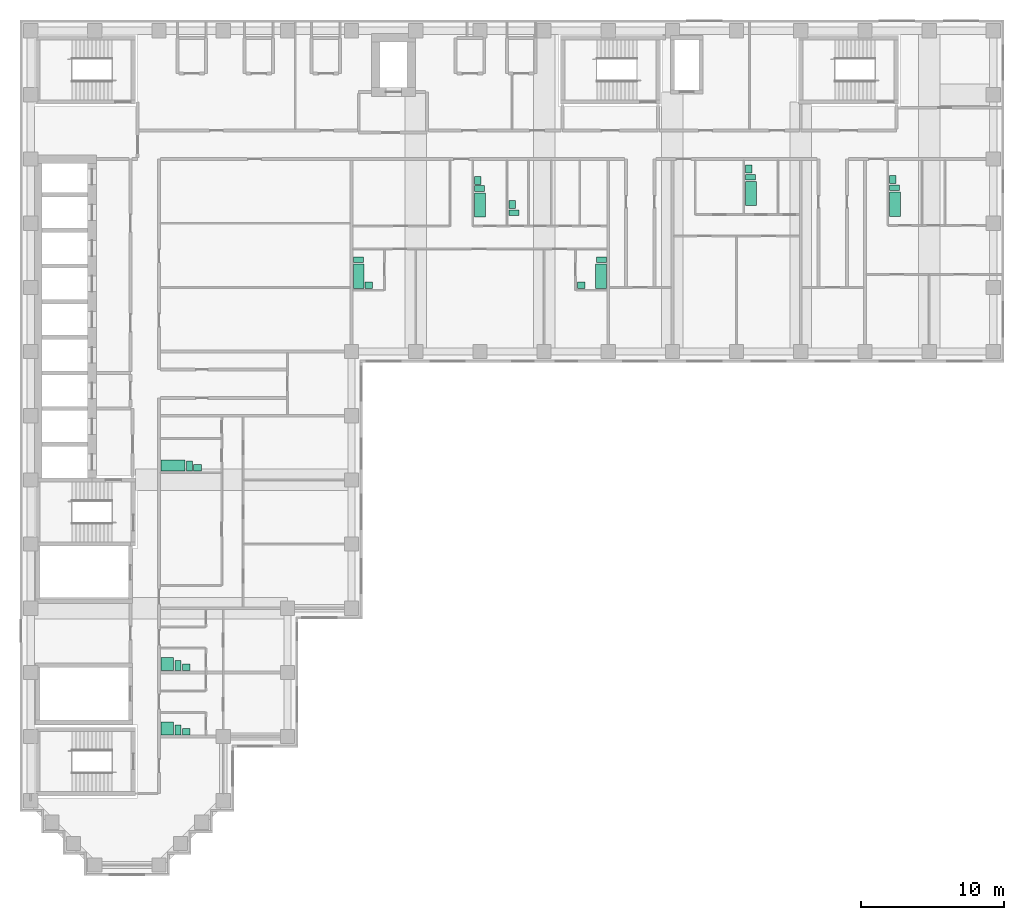
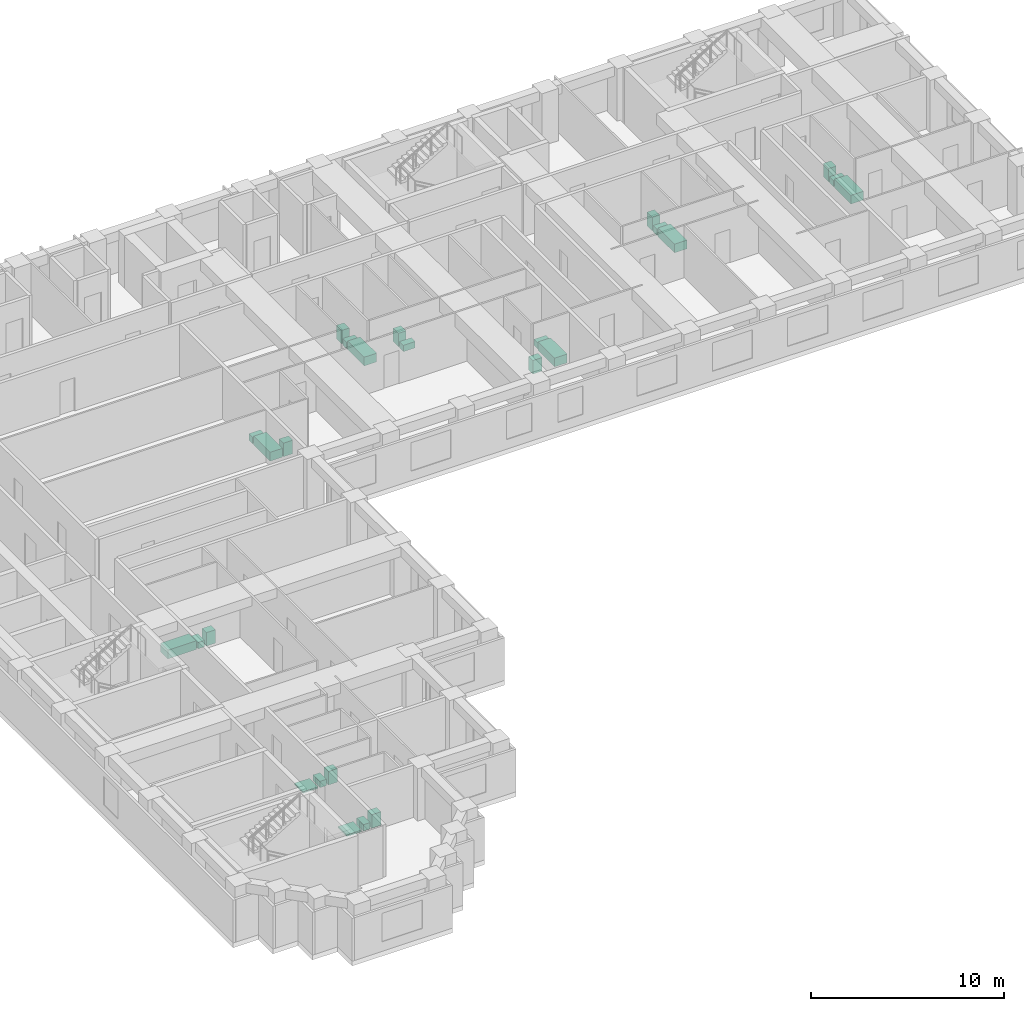
# One storey, part 12 of 12: 26 sanitary terminals.
"""IFC4 building model written with IfcOpenShell, lengths in metres."""

from ifc_helpers import new_model, si_unit, direction, frame, origin, origin_2d, place, context, subcontext, project, spatial, rectangle, extrude, material, type_object, element, save


model = new_model("IFC4")

# Units and contexts
model_context = context("Model", 3, precision=1e-05, world=origin(), true_north=direction((0.0, 1.0)))
body_context = subcontext(model_context, "Body", "Model", "MODEL_VIEW")
ifc_project = project(units=[si_unit("LENGTHUNIT", "METRE"), si_unit("AREAUNIT", "SQUARE_METRE"), si_unit("VOLUMEUNIT", "CUBIC_METRE"), si_unit("PLANEANGLEUNIT", "RADIAN"), si_unit("MASSUNIT", "GRAM", prefix="KILO")], contexts=[model_context])

# Site, building, storey
site_placement = place(None, origin())
site = spatial("IfcSite", under=ifc_project, at=site_placement, CompositionType="ELEMENT")
building_placement = place(site_placement, origin())
building = spatial("IfcBuilding", under=site, at=building_placement, Name="Firuza Court", CompositionType="ELEMENT")
storey_placement = place(building_placement, frame((0.0, 0.0, 166.39990234375)))
storey = spatial("IfcBuildingStorey", under=building, at=storey_placement, Name="L42", CompositionType="ELEMENT", Elevation=166.39990234375)

# Sanitary terminals
ifc_material_1 = material(Name="Vitreous china", Category="ceramic")
sanitary_terminal_type_1 = type_object("IfcSanitaryTerminalType", Name="Fixture Bath", PredefinedType="BATH", material=ifc_material_1)
for number, where, z_axis, x_axis, name in (
    (1, (31.5048828125, 46.280029296875, 0.0), (0.0, 0.0, 1.0), (1.0, 0.0, 0.0), "Bath"),
    (2, (23.0048828125, 41.280029296875, 0.0), (0.0, 0.0, 1.0), (1.0, 0.0, 0.0), "Bath"),
    (3, (39.9951171875, 41.280029296875, 0.0), (0.0, 0.0, 1.0), (1.0, 0.0, 0.0), "Bath"),
    (4, (50.5048828125, 47.080078125, 0.0), (0.0, 0.0, 1.0), (1.0, 0.0, 0.0), "Bath"),
    (5, (60.60498046875, 46.330078125, 0.0), (0.0, 0.0, 1.0), (1.0, 0.0, 0.0), "Bath"),
):
    element("IfcSanitaryTerminal", number, at=place(storey_placement, frame(where, z_axis=z_axis, x_axis=x_axis)), inside=storey, type_object=sanitary_terminal_type_1, Name=name, PredefinedType="BATH", context=body_context, shape_type="SweptSolid", body=[
        extrude(rectangle(XDim=0.75, YDim=1.699951171875, at=origin_2d()), origin(), (0.0, 0.0, 1.0), 0.550048828125),
    ])
sanitary_terminal_placement = place(storey_placement, frame((9.97998046875, 28.0048828125, 0.0), z_axis=(0.0, 0.0, 1.0), x_axis=(1.0, 0.0, 0.0)))
element("IfcSanitaryTerminal", 6, at=sanitary_terminal_placement, inside=storey, type_object=sanitary_terminal_type_1, Name="Bath", PredefinedType="BATH", context=body_context, shape_type="SweptSolid", body=[
    extrude(rectangle(XDim=1.699951171875, YDim=0.75, at=origin_2d()), origin(), (0.0, 0.0, 1.0), 0.550048828125),
])
ifc_material_2 = material(Name="Vitreous china", Category="ceramic")
sanitary_terminal_type_2 = type_object("IfcSanitaryTerminalType", Name="Fixture Shower tray", PredefinedType="SHOWER", material=ifc_material_2)
for number, where, z_axis, x_axis, name in (
    (7, (9.580078125, 14.080078125, 0.0), (0.0, 0.0, 1.0), (1.0, 0.0, 0.0), "Shower tray"),
    (8, (9.580078125, 9.580078125, 0.0), (0.0, 0.0, 1.0), (1.0, 0.0, 0.0), "Shower tray"),
):
    element("IfcSanitaryTerminal", number, at=place(storey_placement, frame(where, z_axis=z_axis, x_axis=x_axis)), inside=storey, type_object=sanitary_terminal_type_2, Name=name, PredefinedType="SHOWER", context=body_context, shape_type="SweptSolid", body=[
        extrude(rectangle(XDim=0.89990234375, YDim=0.89990234375, at=origin_2d()), origin(), (0.0, 0.0, 1.0), 0.10009765625),
    ])
ifc_material_3 = material(Name="Vitreous china", Category="ceramic")
sanitary_terminal_type_3 = type_object("IfcSanitaryTerminalType", Name="Fixture WC pan", PredefinedType="TOILETPAN", material=ifc_material_3)
for number, where, z_axis, x_axis, name in (
    (9, (31.47998046875, 47.429931640625, 0.000244140625), (0.0, 0.0, 1.0), (1.0, 0.0, 0.0), "WC pan"),
    (10, (33.8798828125, 45.72998046875, 0.000244140625), (0.0, 0.0, 1.0), (1.0, 0.0, 0.0), "WC pan"),
    (11, (22.97998046875, 42.429931640625, 0.000244140625), (0.0, 0.0, 1.0), (1.0, 0.0, 0.0), "WC pan"),
    (12, (40.02001953125, 42.429931640625, 0.000244140625), (0.0, 0.0, 1.0), (1.0, 0.0, 0.0), "WC pan"),
    (13, (50.47998046875, 48.22998046875, 0.000244140625), (0.0, 0.0, 1.0), (1.0, 0.0, 0.0), "WC pan"),
    (14, (60.580078125, 47.47998046875, 0.000244140625), (0.0, 0.0, 1.0), (1.0, 0.0, 0.0), "WC pan"),
):
    element("IfcSanitaryTerminal", number, at=place(storey_placement, frame(where, z_axis=z_axis, x_axis=x_axis)), inside=storey, type_object=sanitary_terminal_type_3, Name=name, PredefinedType="TOILETPAN", context=body_context, shape_type="SweptSolid", body=[
        extrude(rectangle(XDim=0.699951171875, YDim=0.39990234375, at=origin_2d()), origin(), (0.0, 0.0, 1.0), 0.39990234375),
    ])
for number, where, z_axis, x_axis, name in (
    (15, (11.1298828125, 27.97998046875, 0.000244140625), (0.0, 0.0, 1.0), (1.0, 0.0, 0.0), "WC pan"),
    (16, (10.330078125, 13.97998046875, 0.000244140625), (0.0, 0.0, 1.0), (1.0, 0.0, 0.0), "WC pan"),
    (17, (10.330078125, 9.47998046875, 0.000244140625), (0.0, 0.0, 1.0), (1.0, 0.0, 0.0), "WC pan"),
):
    element("IfcSanitaryTerminal", number, at=place(storey_placement, frame(where, z_axis=z_axis, x_axis=x_axis)), inside=storey, type_object=sanitary_terminal_type_3, Name=name, PredefinedType="TOILETPAN", context=body_context, shape_type="SweptSolid", body=[
        extrude(rectangle(XDim=0.39990234375, YDim=0.699951171875, at=origin_2d()), origin(), (0.0, 0.0, 1.0), 0.39990234375),
    ])
ifc_material_4 = material(Name="Vitreous china", Category="ceramic")
sanitary_terminal_type_4 = type_object("IfcSanitaryTerminalType", Name="Fixture Washbasin", PredefinedType="WASHHANDBASIN", material=ifc_material_4)
for number, where, z_axis, x_axis, name in (
    (18, (31.35498046875, 48.0048828125, 0.0), (0.0, 0.0, 1.0), (1.0, 0.0, 0.0), "Washbasin"),
    (19, (33.7548828125, 46.304931640625, 0.0), (0.0, 0.0, 1.0), (1.0, 0.0, 0.0), "Washbasin"),
):
    element("IfcSanitaryTerminal", number, at=place(storey_placement, frame(where, z_axis=z_axis, x_axis=x_axis)), inside=storey, type_object=sanitary_terminal_type_4, Name=name, PredefinedType="WASHHANDBASIN", context=body_context, shape_type="SweptSolid", body=[
        extrude(rectangle(XDim=0.449951171875, YDim=0.550048828125, at=origin_2d()), origin(), (0.0, 0.0, 1.0), 0.85009765625),
    ])
for number, where, z_axis, x_axis, name in (
    (20, (23.705078125, 40.655029296875, 0.0), (0.0, 0.0, 1.0), (1.0, 0.0, 0.0), "Washbasin"),
    (21, (38.60498046875, 40.655029296875, 0.0), (0.0, 0.0, 1.0), (1.0, 0.0, 0.0), "Washbasin"),
):
    element("IfcSanitaryTerminal", number, at=place(storey_placement, frame(where, z_axis=z_axis, x_axis=x_axis)), inside=storey, type_object=sanitary_terminal_type_4, Name=name, PredefinedType="WASHHANDBASIN", context=body_context, shape_type="SweptSolid", body=[
        extrude(rectangle(XDim=0.550048828125, YDim=0.449951171875, at=origin_2d()), origin(), (0.0, 0.0, 1.0), 0.85009765625),
    ])
for number, where, z_axis, x_axis, name in (
    (22, (50.35498046875, 48.804931640625, 0.0), (0.0, 0.0, 1.0), (1.0, 0.0, 0.0), "Washbasin"),
    (23, (60.455078125, 48.054931640625, 0.0), (0.0, 0.0, 1.0), (1.0, 0.0, 0.0), "Washbasin"),
):
    element("IfcSanitaryTerminal", number, at=place(storey_placement, frame(where, z_axis=z_axis, x_axis=x_axis)), inside=storey, type_object=sanitary_terminal_type_4, Name=name, PredefinedType="WASHHANDBASIN", context=body_context, shape_type="SweptSolid", body=[
        extrude(rectangle(XDim=0.449951171875, YDim=0.550048828125, at=origin_2d()), origin(), (0.0, 0.0, 1.0), 0.85009765625),
    ])
for number, where, z_axis, x_axis, name in (
    (24, (11.705078125, 27.85498046875, 0.0), (0.0, 0.0, 1.0), (1.0, 0.0, 0.0), "Washbasin"),
    (25, (10.905029296875, 13.85498046875, 0.0), (0.0, 0.0, 1.0), (1.0, 0.0, 0.0), "Washbasin"),
    (26, (10.905029296875, 9.35498046875, 0.0), (0.0, 0.0, 1.0), (1.0, 0.0, 0.0), "Washbasin"),
):
    element("IfcSanitaryTerminal", number, at=place(storey_placement, frame(where, z_axis=z_axis, x_axis=x_axis)), inside=storey, type_object=sanitary_terminal_type_4, Name=name, PredefinedType="WASHHANDBASIN", context=body_context, shape_type="SweptSolid", body=[
        extrude(rectangle(XDim=0.550048828125, YDim=0.449951171875, at=origin_2d()), origin(), (0.0, 0.0, 1.0), 0.85009765625),
    ])

save(model, "model.ifc")
